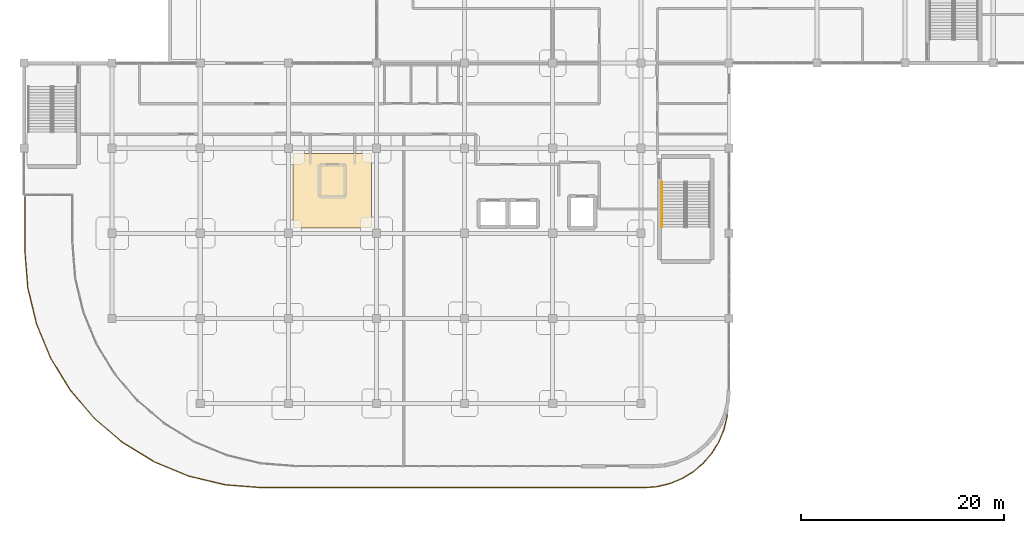
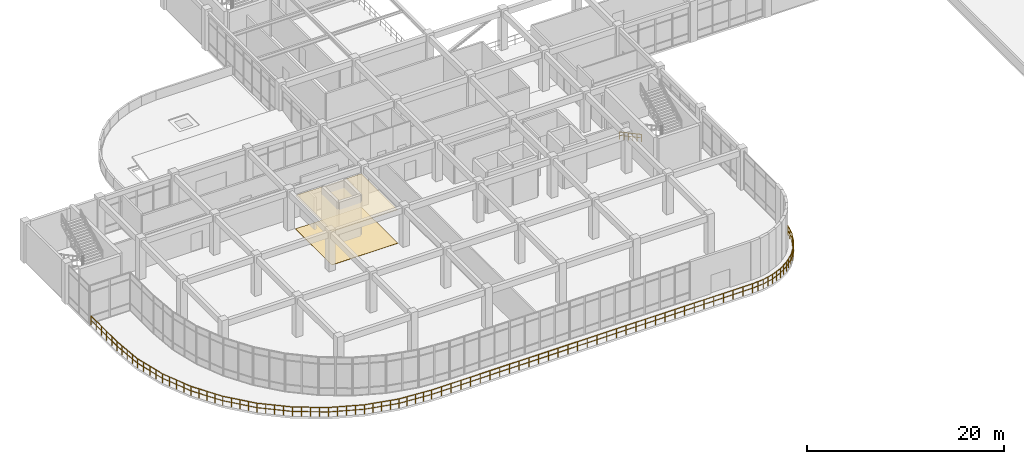
# One storey, part 113 of 124: 2 coverings, 2 railings.
"""IFC4 building model written with IfcOpenShell, lengths in metres."""

from ifc_helpers import new_model, si_unit, derived_unit, direction, frame, origin, origin_2d, place, context, subcontext, project, spatial, polyline, circle, outline, extrude, material, layer, layer_set, type_object, element, save


model = new_model("IFC4")

# Units and contexts
model_context = context("Model", 3, precision=1e-05, world=origin(), true_north=direction((0.0, 1.0)))
body_context = subcontext(model_context, "Body", "Model", "MODEL_VIEW")
ifc_project = project(units=[si_unit("LENGTHUNIT", "METRE"), si_unit("AREAUNIT", "SQUARE_METRE"), si_unit("VOLUMEUNIT", "CUBIC_METRE"), si_unit("PLANEANGLEUNIT", "RADIAN"), si_unit("MASSUNIT", "GRAM", prefix="KILO"), derived_unit("THERMALTRANSMITTANCEUNIT", [(si_unit("MASSUNIT", "GRAM", prefix="KILO"), 1), (si_unit("TIMEUNIT", "SECOND"), -3), (si_unit("THERMODYNAMICTEMPERATUREUNIT", "KELVIN"), -1)])], contexts=[model_context])

# Site, building, storey
site_placement = place(None, origin())
site = spatial("IfcSite", under=ifc_project, at=site_placement, CompositionType="ELEMENT")
building_placement = place(site_placement, origin())
building = spatial("IfcBuilding", under=site, at=building_placement, Name="Qinzheling Arcade Emporium", CompositionType="ELEMENT")
storey_placement = place(building_placement, frame((0.0, 0.0, 16.5)))
storey = spatial("IfcBuildingStorey", under=building, at=storey_placement, Name="L04", CompositionType="ELEMENT", Elevation=16.5)

# Railing
ifc_material_1 = material(Name="Architectural bronze rail and laminated safety glass", Category="glass")
railing_type_1 = type_object("IfcRailingType", Name="Curved Terrace Laminated Glass and Bronze Balustrade 1150", PredefinedType="BALUSTRADE", material=ifc_material_1)
railing_1_placement = place(storey_placement, frame((69.43310546875, 7.2890625, 0.0)))
element("IfcRailing", 1, at=railing_1_placement, inside=storey, type_object=railing_type_1, Name="Terrace Balustrade RLG-TER-L04-004", PredefinedType="BALUSTRADE", context=body_context, shape_type="SweptSolid", body=[
    extrude(circle(Radius=0.02392578125, at=origin_2d()), frame((0.0, 0.0, 1.1259765625), z_axis=(-0.079439665691, -0.996839675933, 0.0), x_axis=(0.996839675933, -0.079439665691, 0.0)), (0.0, 0.0, 1.0), 0.1904296875),
    extrude(circle(Radius=0.01611328125, at=origin_2d()), frame((0.0, 0.0, 0.574951171875), z_axis=(-0.079439665691, -0.996839675933, 0.0), x_axis=(0.996839675933, -0.079439665691, 0.0)), (0.0, 0.0, 1.0), 0.1904296875),
    extrude(circle(Radius=0.02392578125, at=origin_2d()), frame((-0.01513671875, -0.18994140625, 1.1259765625), z_axis=(-0.233464856822, -0.972365240344, 0.0), x_axis=(0.972365240344, -0.233464856822, 0.0)), (0.0, 0.0, 1.0), 1.30615234375),
    extrude(circle(Radius=0.01611328125, at=origin_2d()), frame((-0.01513671875, -0.18994140625, 0.574951171875), z_axis=(-0.233464856822, -0.972365240344, 0.0), x_axis=(0.972365240344, -0.233464856822, 0.0)), (0.0, 0.0, 1.0), 1.30615234375),
    extrude(circle(Radius=0.02392578125, at=origin_2d()), frame((-0.320068359375, -1.4599609375, 1.1259765625), z_axis=(-0.382703871955, -0.923871065891, 0.0), x_axis=(0.923871065891, -0.382703871955, 0.0)), (0.0, 0.0, 1.0), 1.306396484375),
    extrude(circle(Radius=0.01611328125, at=origin_2d()), frame((-0.320068359375, -1.4599609375, 0.574951171875), z_axis=(-0.382703871955, -0.923871065891, 0.0), x_axis=(0.923871065891, -0.382703871955, 0.0)), (0.0, 0.0, 1.0), 1.306396484375),
    extrude(circle(Radius=0.02392578125, at=origin_2d()), frame((-0.820068359375, -2.6669921875, 1.1259765625), z_axis=(-0.522864815546, -0.852415617327, 0.0), x_axis=(0.852415617327, -0.522864815546, 0.0)), (0.0, 0.0, 1.0), 1.3046875),
    extrude(circle(Radius=0.01611328125, at=origin_2d()), frame((-0.820068359375, -2.6669921875, 0.574951171875), z_axis=(-0.522864815546, -0.852415617327, 0.0), x_axis=(0.852415617327, -0.522864815546, 0.0)), (0.0, 0.0, 1.0), 1.3046875),
    extrude(circle(Radius=0.02392578125, at=origin_2d()), frame((-1.502197265625, -3.779052734375, 1.1259765625), z_axis=(-0.649388998895, -0.760456394617, 0.0), x_axis=(0.760456394617, -0.649388998895, 0.0)), (0.0, 0.0, 1.0), 1.3056640625),
    extrude(circle(Radius=0.01611328125, at=origin_2d()), frame((-1.502197265625, -3.779052734375, 0.574951171875), z_axis=(-0.649388998895, -0.760456394617, 0.0), x_axis=(0.760456394617, -0.649388998895, 0.0)), (0.0, 0.0, 1.0), 1.3056640625),
    extrude(circle(Radius=0.02392578125, at=origin_2d()), frame((-2.35009765625, -4.77197265625, 1.1259765625), z_axis=(-0.760364060372, -0.649497109843, 0.0), x_axis=(0.649497109843, -0.760364060372, 0.0)), (0.0, 0.0, 1.0), 1.305908203125),
    extrude(circle(Radius=0.01611328125, at=origin_2d()), frame((-2.35009765625, -4.77197265625, 0.574951171875), z_axis=(-0.760364060372, -0.649497109843, 0.0), x_axis=(0.649497109843, -0.760364060372, 0.0)), (0.0, 0.0, 1.0), 1.305908203125),
    extrude(circle(Radius=0.02392578125, at=origin_2d()), frame((-3.343017578125, -5.6201171875, 1.1259765625), z_axis=(-0.852499021897, -0.522728818476, 0.0), x_axis=(0.522728818476, -0.852499021897, 0.0)), (0.0, 0.0, 1.0), 1.304443359375),
    extrude(circle(Radius=0.01611328125, at=origin_2d()), frame((-3.343017578125, -5.6201171875, 0.574951171875), z_axis=(-0.852499021897, -0.522728818476, 0.0), x_axis=(0.522728818476, -0.852499021897, 0.0)), (0.0, 0.0, 1.0), 1.304443359375),
    extrude(circle(Radius=0.02392578125, at=origin_2d()), frame((-4.455078125, -6.302001953125, 1.1259765625), z_axis=(-0.923871065891, -0.382703871955, 0.0), x_axis=(0.382703871955, -0.923871065891, 0.0)), (0.0, 0.0, 1.0), 1.306396484375),
    extrude(circle(Radius=0.01611328125, at=origin_2d()), frame((-4.455078125, -6.302001953125, 0.574951171875), z_axis=(-0.923871065891, -0.382703871955, 0.0), x_axis=(0.382703871955, -0.923871065891, 0.0)), (0.0, 0.0, 1.0), 1.306396484375),
    extrude(circle(Radius=0.02392578125, at=origin_2d()), frame((-5.662109375, -6.802001953125, 1.1259765625), z_axis=(-0.972322792523, -0.233641578365, 0.0), x_axis=(0.233641578365, -0.972322792523, 0.0)), (0.0, 0.0, 1.0), 1.30615234375),
    extrude(circle(Radius=0.01611328125, at=origin_2d()), frame((-5.662109375, -6.802001953125, 0.574951171875), z_axis=(-0.972322792523, -0.233641578365, 0.0), x_axis=(0.233641578365, -0.972322792523, 0.0)), (0.0, 0.0, 1.0), 1.30615234375),
    extrude(circle(Radius=0.02392578125, at=origin_2d()), frame((-6.93212890625, -7.107177734375, 1.1259765625), z_axis=(-0.99696599025, -0.077838385683, 0.0), x_axis=(0.077838385683, -0.99696599025, 0.0)), (0.0, 0.0, 1.0), 1.307861328125),
    extrude(circle(Radius=0.01611328125, at=origin_2d()), frame((-6.93212890625, -7.107177734375, 0.574951171875), z_axis=(-0.99696599025, -0.077838385683, 0.0), x_axis=(0.077838385683, -0.99696599025, 0.0)), (0.0, 0.0, 1.0), 1.307861328125),
    extrude(circle(Radius=0.02392578125, at=origin_2d()), frame((-8.236083984375, -7.208984375, 1.1259765625), z_axis=(-1.0, 0.0, 0.0), x_axis=(0.0, -1.0, 0.0)), (0.0, 0.0, 1.0), 37.694091796875),
    extrude(circle(Radius=0.01611328125, at=origin_2d()), frame((-8.236083984375, -7.208984375, 0.574951171875), z_axis=(-1.0, 0.0, 0.0), x_axis=(0.0, -1.0, 0.0)), (0.0, 0.0, 1.0), 37.694091796875),
    extrude(circle(Radius=0.02392578125, at=origin_2d()), frame((-45.93017578125, -7.208984375, 1.1259765625), z_axis=(-0.996931778263, 0.078275344071, 0.0), x_axis=(-0.078275344071, -0.996931778263, 0.0)), (0.0, 0.0, 1.0), 3.67724609375),
    extrude(circle(Radius=0.01611328125, at=origin_2d()), frame((-45.93017578125, -7.208984375, 0.574951171875), z_axis=(-0.996931778263, 0.078275344071, 0.0), x_axis=(-0.078275344071, -0.996931778263, 0.0)), (0.0, 0.0, 1.0), 3.67724609375),
    extrude(circle(Radius=0.02392578125, at=origin_2d()), frame((-49.59619140625, -6.921142578125, 1.1259765625), z_axis=(-0.972362576411, 0.233475951642, 0.0), x_axis=(-0.233475951642, -0.972362576411, 0.0)), (0.0, 0.0, 1.0), 3.675537109375),
    extrude(circle(Radius=0.01611328125, at=origin_2d()), frame((-49.59619140625, -6.921142578125, 0.574951171875), z_axis=(-0.972362576411, 0.233475951642, 0.0), x_axis=(-0.233475951642, -0.972362576411, 0.0)), (0.0, 0.0, 1.0), 3.675537109375),
    extrude(circle(Radius=0.02392578125, at=origin_2d()), frame((-53.170166015625, -6.06298828125, 1.1259765625), z_axis=(-0.923849253589, 0.382756523971, 0.0), x_axis=(-0.382756523971, -0.923849253589, 0.0)), (0.0, 0.0, 1.0), 3.676025390625),
    extrude(circle(Radius=0.01611328125, at=origin_2d()), frame((-53.170166015625, -6.06298828125, 0.574951171875), z_axis=(-0.923849253589, 0.382756523971, 0.0), x_axis=(-0.382756523971, -0.923849253589, 0.0)), (0.0, 0.0, 1.0), 3.676025390625),
    extrude(circle(Radius=0.02392578125, at=origin_2d()), frame((-56.566162109375, -4.656005859375, 1.1259765625), z_axis=(-0.852642310757, 0.522495062089, 0.0), x_axis=(-0.522495062089, -0.852642310757, 0.0)), (0.0, 0.0, 1.0), 3.674560546875),
    extrude(circle(Radius=0.01611328125, at=origin_2d()), frame((-56.566162109375, -4.656005859375, 0.574951171875), z_axis=(-0.852642310757, 0.522495062089, 0.0), x_axis=(-0.522495062089, -0.852642310757, 0.0)), (0.0, 0.0, 1.0), 3.674560546875),
    extrude(circle(Radius=0.02392578125, at=origin_2d()), frame((-59.69921875, -2.736083984375, 1.1259765625), z_axis=(-0.760310788239, 0.649559470169, 0.0), x_axis=(-0.649559470169, -0.760310788239, 0.0)), (0.0, 0.0, 1.0), 3.6748046875),
    extrude(circle(Radius=0.01611328125, at=origin_2d()), frame((-59.69921875, -2.736083984375, 0.574951171875), z_axis=(-0.760310788239, 0.649559470169, 0.0), x_axis=(-0.649559470169, -0.760310788239, 0.0)), (0.0, 0.0, 1.0), 3.6748046875),
    extrude(circle(Radius=0.02392578125, at=origin_2d()), frame((-62.4931640625, -0.34912109375, 1.1259765625), z_axis=(-0.649559470169, 0.760310788239, 0.0), x_axis=(-0.760310788239, -0.649559470169, 0.0)), (0.0, 0.0, 1.0), 3.6748046875),
    extrude(circle(Radius=0.01611328125, at=origin_2d()), frame((-62.4931640625, -0.34912109375, 0.574951171875), z_axis=(-0.649559470169, 0.760310788239, 0.0), x_axis=(-0.760310788239, -0.649559470169, 0.0)), (0.0, 0.0, 1.0), 3.6748046875),
    extrude(circle(Radius=0.02392578125, at=origin_2d()), frame((-64.880126953125, 2.44482421875, 1.1259765625), z_axis=(-0.522495062089, 0.852642310757, 0.0), x_axis=(-0.852642310757, -0.522495062089, 0.0)), (0.0, 0.0, 1.0), 3.674560546875),
    extrude(circle(Radius=0.01611328125, at=origin_2d()), frame((-64.880126953125, 2.44482421875, 0.574951171875), z_axis=(-0.522495062089, 0.852642310757, 0.0), x_axis=(-0.852642310757, -0.522495062089, 0.0)), (0.0, 0.0, 1.0), 3.674560546875),
    extrude(circle(Radius=0.02392578125, at=origin_2d()), frame((-66.800048828125, 5.577880859375, 1.1259765625), z_axis=(-0.382756523971, 0.923849253589, 0.0), x_axis=(-0.923849253589, -0.382756523971, 0.0)), (0.0, 0.0, 1.0), 3.676025390625),
    extrude(circle(Radius=0.01611328125, at=origin_2d()), frame((-66.800048828125, 5.577880859375, 0.574951171875), z_axis=(-0.382756523971, 0.923849253589, 0.0), x_axis=(-0.923849253589, -0.382756523971, 0.0)), (0.0, 0.0, 1.0), 3.676025390625),
    extrude(circle(Radius=0.02392578125, at=origin_2d()), frame((-68.20703125, 8.973876953125, 1.1259765625), z_axis=(-0.233475951642, 0.972362576411, 0.0), x_axis=(-0.972362576411, -0.233475951642, 0.0)), (0.0, 0.0, 1.0), 3.675537109375),
    extrude(circle(Radius=0.01611328125, at=origin_2d()), frame((-68.20703125, 8.973876953125, 0.574951171875), z_axis=(-0.233475951642, 0.972362576411, 0.0), x_axis=(-0.972362576411, -0.233475951642, 0.0)), (0.0, 0.0, 1.0), 3.675537109375),
    extrude(circle(Radius=0.02392578125, at=origin_2d()), frame((-69.065185546875, 12.5478515625, 1.1259765625), z_axis=(-0.078275344071, 0.996931778263, 0.0), x_axis=(-0.996931778263, -0.078275344071, 0.0)), (0.0, 0.0, 1.0), 3.67724609375),
    extrude(circle(Radius=0.01611328125, at=origin_2d()), frame((-69.065185546875, 12.5478515625, 0.574951171875), z_axis=(-0.078275344071, 0.996931778263, 0.0), x_axis=(-0.996931778263, -0.078275344071, 0.0)), (0.0, 0.0, 1.0), 3.67724609375),
    extrude(circle(Radius=0.02392578125, at=origin_2d()), frame((-69.35302734375, 16.2138671875, 1.1259765625), z_axis=(0.0, 1.0, 0.0), x_axis=(-1.0, 0.0, 0.0)), (0.0, 0.0, 1.0), 5.277099609375),
    extrude(circle(Radius=0.01611328125, at=origin_2d()), frame((-69.35302734375, 16.2138671875, 0.574951171875), z_axis=(0.0, 1.0, 0.0), x_axis=(-1.0, 0.0, 0.0)), (0.0, 0.0, 1.0), 5.277099609375),
    extrude(circle(Radius=0.02099609375, at=origin_2d()), origin(), (0.0, 0.0, 1.0), 1.101806640625),
    extrude(circle(Radius=0.02099609375, at=origin_2d()), frame((-0.01513671875, -0.18994140625, 0.0)), (0.0, 0.0, 1.0), 1.101806640625),
    extrude(circle(Radius=0.02099609375, at=origin_2d()), frame((-0.16748046875, -0.824951171875, 0.0)), (0.0, 0.0, 1.0), 1.101806640625),
    extrude(circle(Radius=0.02099609375, at=origin_2d()), frame((-0.320068359375, -1.4599609375, 0.0)), (0.0, 0.0, 1.0), 1.101806640625),
    extrude(circle(Radius=0.02099609375, at=origin_2d()), frame((-0.570068359375, -2.0634765625, 0.0)), (0.0, 0.0, 1.0), 1.101806640625),
    extrude(circle(Radius=0.02099609375, at=origin_2d()), frame((-0.820068359375, -2.6669921875, 0.0)), (0.0, 0.0, 1.0), 1.101806640625),
    extrude(circle(Radius=0.02099609375, at=origin_2d()), frame((-1.1611328125, -3.22314453125, 0.0)), (0.0, 0.0, 1.0), 1.101806640625),
    extrude(circle(Radius=0.02099609375, at=origin_2d()), frame((-1.502197265625, -3.779052734375, 0.0)), (0.0, 0.0, 1.0), 1.101806640625),
    extrude(circle(Radius=0.02099609375, at=origin_2d()), frame((-1.92626953125, -4.275390625, 0.0)), (0.0, 0.0, 1.0), 1.101806640625),
    extrude(circle(Radius=0.02099609375, at=origin_2d()), frame((-2.35009765625, -4.77197265625, 0.0)), (0.0, 0.0, 1.0), 1.101806640625),
    extrude(circle(Radius=0.02099609375, at=origin_2d()), frame((-2.8466796875, -5.196044921875, 0.0)), (0.0, 0.0, 1.0), 1.101806640625),
    extrude(circle(Radius=0.02099609375, at=origin_2d()), frame((-3.343017578125, -5.6201171875, 0.0)), (0.0, 0.0, 1.0), 1.101806640625),
    extrude(circle(Radius=0.02099609375, at=origin_2d()), frame((-3.89892578125, -5.9609375, 0.0)), (0.0, 0.0, 1.0), 1.101806640625),
    extrude(circle(Radius=0.02099609375, at=origin_2d()), frame((-4.455078125, -6.302001953125, 0.0)), (0.0, 0.0, 1.0), 1.101806640625),
    extrude(circle(Radius=0.02099609375, at=origin_2d()), frame((-5.05859375, -6.552001953125, 0.0)), (0.0, 0.0, 1.0), 1.101806640625),
    extrude(circle(Radius=0.02099609375, at=origin_2d()), frame((-5.662109375, -6.802001953125, 0.0)), (0.0, 0.0, 1.0), 1.101806640625),
    extrude(circle(Radius=0.02099609375, at=origin_2d()), frame((-6.297119140625, -6.95458984375, 0.0)), (0.0, 0.0, 1.0), 1.101806640625),
    extrude(circle(Radius=0.02099609375, at=origin_2d()), frame((-6.93212890625, -7.107177734375, 0.0)), (0.0, 0.0, 1.0), 1.101806640625),
    extrude(circle(Radius=0.02099609375, at=origin_2d()), frame((-7.583984375, -7.158203125, 0.0)), (0.0, 0.0, 1.0), 1.101806640625),
    extrude(circle(Radius=0.02099609375, at=origin_2d()), frame((-8.236083984375, -7.208984375, 0.0)), (0.0, 0.0, 1.0), 1.101806640625),
    extrude(circle(Radius=0.02099609375, at=origin_2d()), frame((-9.37841796875, -7.208984375, 0.0)), (0.0, 0.0, 1.0), 1.101806640625),
    extrude(circle(Radius=0.02099609375, at=origin_2d()), frame((-10.5205078125, -7.208984375, 0.0)), (0.0, 0.0, 1.0), 1.101806640625),
    extrude(circle(Radius=0.02099609375, at=origin_2d()), frame((-11.662841796875, -7.208984375, 0.0)), (0.0, 0.0, 1.0), 1.101806640625),
    extrude(circle(Radius=0.02099609375, at=origin_2d()), frame((-12.80517578125, -7.208984375, 0.0)), (0.0, 0.0, 1.0), 1.101806640625),
    extrude(circle(Radius=0.02099609375, at=origin_2d()), frame((-13.947265625, -7.208984375, 0.0)), (0.0, 0.0, 1.0), 1.101806640625),
    extrude(circle(Radius=0.02099609375, at=origin_2d()), frame((-15.089599609375, -7.208984375, 0.0)), (0.0, 0.0, 1.0), 1.101806640625),
    extrude(circle(Radius=0.02099609375, at=origin_2d()), frame((-16.231689453125, -7.208984375, 0.0)), (0.0, 0.0, 1.0), 1.101806640625),
    extrude(circle(Radius=0.02099609375, at=origin_2d()), frame((-17.3740234375, -7.208984375, 0.0)), (0.0, 0.0, 1.0), 1.101806640625),
    extrude(circle(Radius=0.02099609375, at=origin_2d()), frame((-18.516357421875, -7.208984375, 0.0)), (0.0, 0.0, 1.0), 1.101806640625),
    extrude(circle(Radius=0.02099609375, at=origin_2d()), frame((-19.658447265625, -7.208984375, 0.0)), (0.0, 0.0, 1.0), 1.101806640625),
    extrude(circle(Radius=0.02099609375, at=origin_2d()), frame((-20.80078125, -7.208984375, 0.0)), (0.0, 0.0, 1.0), 1.101806640625),
    extrude(circle(Radius=0.02099609375, at=origin_2d()), frame((-21.943115234375, -7.208984375, 0.0)), (0.0, 0.0, 1.0), 1.101806640625),
    extrude(circle(Radius=0.02099609375, at=origin_2d()), frame((-23.085205078125, -7.208984375, 0.0)), (0.0, 0.0, 1.0), 1.101806640625),
    extrude(circle(Radius=0.02099609375, at=origin_2d()), frame((-24.2275390625, -7.208984375, 0.0)), (0.0, 0.0, 1.0), 1.101806640625),
    extrude(circle(Radius=0.02099609375, at=origin_2d()), frame((-25.369873046875, -7.208984375, 0.0)), (0.0, 0.0, 1.0), 1.101806640625),
    extrude(circle(Radius=0.02099609375, at=origin_2d()), frame((-26.511962890625, -7.208984375, 0.0)), (0.0, 0.0, 1.0), 1.101806640625),
    extrude(circle(Radius=0.02099609375, at=origin_2d()), frame((-27.654296875, -7.208984375, 0.0)), (0.0, 0.0, 1.0), 1.101806640625),
    extrude(circle(Radius=0.02099609375, at=origin_2d()), frame((-28.79638671875, -7.208984375, 0.0)), (0.0, 0.0, 1.0), 1.101806640625),
    extrude(circle(Radius=0.02099609375, at=origin_2d()), frame((-29.938720703125, -7.208984375, 0.0)), (0.0, 0.0, 1.0), 1.101806640625),
    extrude(circle(Radius=0.02099609375, at=origin_2d()), frame((-31.0810546875, -7.208984375, 0.0)), (0.0, 0.0, 1.0), 1.101806640625),
    extrude(circle(Radius=0.02099609375, at=origin_2d()), frame((-32.22314453125, -7.208984375, 0.0)), (0.0, 0.0, 1.0), 1.101806640625),
    extrude(circle(Radius=0.02099609375, at=origin_2d()), frame((-33.365478515625, -7.208984375, 0.0)), (0.0, 0.0, 1.0), 1.101806640625),
    extrude(circle(Radius=0.02099609375, at=origin_2d()), frame((-34.5078125, -7.208984375, 0.0)), (0.0, 0.0, 1.0), 1.101806640625),
    extrude(circle(Radius=0.02099609375, at=origin_2d()), frame((-35.64990234375, -7.208984375, 0.0)), (0.0, 0.0, 1.0), 1.101806640625),
    extrude(circle(Radius=0.02099609375, at=origin_2d()), frame((-36.792236328125, -7.208984375, 0.0)), (0.0, 0.0, 1.0), 1.101806640625),
    extrude(circle(Radius=0.02099609375, at=origin_2d()), frame((-37.9345703125, -7.208984375, 0.0)), (0.0, 0.0, 1.0), 1.101806640625),
    extrude(circle(Radius=0.02099609375, at=origin_2d()), frame((-39.07666015625, -7.208984375, 0.0)), (0.0, 0.0, 1.0), 1.101806640625),
    extrude(circle(Radius=0.02099609375, at=origin_2d()), frame((-40.218994140625, -7.208984375, 0.0)), (0.0, 0.0, 1.0), 1.101806640625),
    extrude(circle(Radius=0.02099609375, at=origin_2d()), frame((-41.361083984375, -7.208984375, 0.0)), (0.0, 0.0, 1.0), 1.101806640625),
    extrude(circle(Radius=0.02099609375, at=origin_2d()), frame((-42.50341796875, -7.208984375, 0.0)), (0.0, 0.0, 1.0), 1.101806640625),
    extrude(circle(Radius=0.02099609375, at=origin_2d()), frame((-43.645751953125, -7.208984375, 0.0)), (0.0, 0.0, 1.0), 1.101806640625),
    extrude(circle(Radius=0.02099609375, at=origin_2d()), frame((-44.787841796875, -7.208984375, 0.0)), (0.0, 0.0, 1.0), 1.101806640625),
    extrude(circle(Radius=0.02099609375, at=origin_2d()), frame((-45.93017578125, -7.208984375, 0.0)), (0.0, 0.0, 1.0), 1.101806640625),
    extrude(circle(Radius=0.02099609375, at=origin_2d()), frame((-46.8466796875, -7.136962890625, 0.0)), (0.0, 0.0, 1.0), 1.101806640625),
    extrude(circle(Radius=0.02099609375, at=origin_2d()), frame((-47.76318359375, -7.06494140625, 0.0)), (0.0, 0.0, 1.0), 1.101806640625),
    extrude(circle(Radius=0.02099609375, at=origin_2d()), frame((-48.6796875, -6.9931640625, 0.0)), (0.0, 0.0, 1.0), 1.101806640625),
    extrude(circle(Radius=0.02099609375, at=origin_2d()), frame((-49.59619140625, -6.921142578125, 0.0)), (0.0, 0.0, 1.0), 1.101806640625),
    extrude(circle(Radius=0.02099609375, at=origin_2d()), frame((-50.48974609375, -6.70654296875, 0.0)), (0.0, 0.0, 1.0), 1.101806640625),
    extrude(circle(Radius=0.02099609375, at=origin_2d()), frame((-51.38330078125, -6.4921875, 0.0)), (0.0, 0.0, 1.0), 1.101806640625),
    extrude(circle(Radius=0.02099609375, at=origin_2d()), frame((-52.276611328125, -6.277587890625, 0.0)), (0.0, 0.0, 1.0), 1.101806640625),
    extrude(circle(Radius=0.02099609375, at=origin_2d()), frame((-53.170166015625, -6.06298828125, 0.0)), (0.0, 0.0, 1.0), 1.101806640625),
    extrude(circle(Radius=0.02099609375, at=origin_2d()), frame((-54.01904296875, -5.711181640625, 0.0)), (0.0, 0.0, 1.0), 1.101806640625),
    extrude(circle(Radius=0.02099609375, at=origin_2d()), frame((-54.8681640625, -5.359375, 0.0)), (0.0, 0.0, 1.0), 1.101806640625),
    extrude(circle(Radius=0.02099609375, at=origin_2d()), frame((-55.71728515625, -5.0078125, 0.0)), (0.0, 0.0, 1.0), 1.101806640625),
    extrude(circle(Radius=0.02099609375, at=origin_2d()), frame((-56.566162109375, -4.656005859375, 0.0)), (0.0, 0.0, 1.0), 1.101806640625),
    extrude(circle(Radius=0.02099609375, at=origin_2d()), frame((-57.349365234375, -4.176025390625, 0.0)), (0.0, 0.0, 1.0), 1.101806640625),
    extrude(circle(Radius=0.02099609375, at=origin_2d()), frame((-58.1328125, -3.696044921875, 0.0)), (0.0, 0.0, 1.0), 1.101806640625),
    extrude(circle(Radius=0.02099609375, at=origin_2d()), frame((-58.916015625, -3.216064453125, 0.0)), (0.0, 0.0, 1.0), 1.101806640625),
    extrude(circle(Radius=0.02099609375, at=origin_2d()), frame((-59.69921875, -2.736083984375, 0.0)), (0.0, 0.0, 1.0), 1.101806640625),
    extrude(circle(Radius=0.02099609375, at=origin_2d()), frame((-60.397705078125, -2.139404296875, 0.0)), (0.0, 0.0, 1.0), 1.101806640625),
    extrude(circle(Radius=0.02099609375, at=origin_2d()), frame((-61.09619140625, -1.54248046875, 0.0)), (0.0, 0.0, 1.0), 1.101806640625),
    extrude(circle(Radius=0.02099609375, at=origin_2d()), frame((-61.794677734375, -0.94580078125, 0.0)), (0.0, 0.0, 1.0), 1.101806640625),
    extrude(circle(Radius=0.02099609375, at=origin_2d()), frame((-62.4931640625, -0.34912109375, 0.0)), (0.0, 0.0, 1.0), 1.101806640625),
    extrude(circle(Radius=0.02099609375, at=origin_2d()), frame((-63.08984375, 0.349365234375, 0.0)), (0.0, 0.0, 1.0), 1.101806640625),
    extrude(circle(Radius=0.02099609375, at=origin_2d()), frame((-63.6865234375, 1.0478515625, 0.0)), (0.0, 0.0, 1.0), 1.101806640625),
    extrude(circle(Radius=0.02099609375, at=origin_2d()), frame((-64.283447265625, 1.746337890625, 0.0)), (0.0, 0.0, 1.0), 1.101806640625),
    extrude(circle(Radius=0.02099609375, at=origin_2d()), frame((-64.880126953125, 2.44482421875, 0.0)), (0.0, 0.0, 1.0), 1.101806640625),
    extrude(circle(Radius=0.02099609375, at=origin_2d()), frame((-65.360107421875, 3.22802734375, 0.0)), (0.0, 0.0, 1.0), 1.101806640625),
    extrude(circle(Radius=0.02099609375, at=origin_2d()), frame((-65.840087890625, 4.01123046875, 0.0)), (0.0, 0.0, 1.0), 1.101806640625),
    extrude(circle(Radius=0.02099609375, at=origin_2d()), frame((-66.320068359375, 4.794677734375, 0.0)), (0.0, 0.0, 1.0), 1.101806640625),
    extrude(circle(Radius=0.02099609375, at=origin_2d()), frame((-66.800048828125, 5.577880859375, 0.0)), (0.0, 0.0, 1.0), 1.101806640625),
    extrude(circle(Radius=0.02099609375, at=origin_2d()), frame((-67.15185546875, 6.4267578125, 0.0)), (0.0, 0.0, 1.0), 1.101806640625),
    extrude(circle(Radius=0.02099609375, at=origin_2d()), frame((-67.50341796875, 7.27587890625, 0.0)), (0.0, 0.0, 1.0), 1.101806640625),
    extrude(circle(Radius=0.02099609375, at=origin_2d()), frame((-67.855224609375, 8.125, 0.0)), (0.0, 0.0, 1.0), 1.101806640625),
    extrude(circle(Radius=0.02099609375, at=origin_2d()), frame((-68.20703125, 8.973876953125, 0.0)), (0.0, 0.0, 1.0), 1.101806640625),
    extrude(circle(Radius=0.02099609375, at=origin_2d()), frame((-68.421630859375, 9.867431640625, 0.0)), (0.0, 0.0, 1.0), 1.101806640625),
    extrude(circle(Radius=0.02099609375, at=origin_2d()), frame((-68.63623046875, 10.7607421875, 0.0)), (0.0, 0.0, 1.0), 1.101806640625),
    extrude(circle(Radius=0.02099609375, at=origin_2d()), frame((-68.8505859375, 11.654296875, 0.0)), (0.0, 0.0, 1.0), 1.101806640625),
    extrude(circle(Radius=0.02099609375, at=origin_2d()), frame((-69.065185546875, 12.5478515625, 0.0)), (0.0, 0.0, 1.0), 1.101806640625),
    extrude(circle(Radius=0.02099609375, at=origin_2d()), frame((-69.13720703125, 13.46435546875, 0.0)), (0.0, 0.0, 1.0), 1.101806640625),
    extrude(circle(Radius=0.02099609375, at=origin_2d()), frame((-69.208984375, 14.380859375, 0.0)), (0.0, 0.0, 1.0), 1.101806640625),
    extrude(circle(Radius=0.02099609375, at=origin_2d()), frame((-69.281005859375, 15.29736328125, 0.0)), (0.0, 0.0, 1.0), 1.101806640625),
    extrude(circle(Radius=0.02099609375, at=origin_2d()), frame((-69.35302734375, 16.2138671875, 0.0)), (0.0, 0.0, 1.0), 1.101806640625),
    extrude(circle(Radius=0.02099609375, at=origin_2d()), frame((-69.35302734375, 17.269287109375, 0.0)), (0.0, 0.0, 1.0), 1.101806640625),
    extrude(circle(Radius=0.02099609375, at=origin_2d()), frame((-69.35302734375, 18.32470703125, 0.0)), (0.0, 0.0, 1.0), 1.101806640625),
    extrude(circle(Radius=0.02099609375, at=origin_2d()), frame((-69.35302734375, 19.380126953125, 0.0)), (0.0, 0.0, 1.0), 1.101806640625),
    extrude(circle(Radius=0.02099609375, at=origin_2d()), frame((-69.35302734375, 20.435546875, 0.0)), (0.0, 0.0, 1.0), 1.101806640625),
    extrude(circle(Radius=0.02099609375, at=origin_2d()), frame((-69.35302734375, 21.490966796875, 0.0)), (0.0, 0.0, 1.0), 1.101806640625),
])

# Coverings
ifc_material_2 = material(Name="Mineral-fibre acoustic ceiling board")
ifc_layer_1 = layer(ifc_material_2, 0.02490234375, Name="Mineral-fibre acoustic ceiling board")
ifc_layer_set_1 = layer_set([ifc_layer_1], Name="Mineral-fibre acoustic ceiling board")
covering_type_1 = type_object("IfcCoveringType", Name="Perforated Mineral Acoustic Ceiling 25", PredefinedType="CEILING", material=ifc_layer_set_1)
covering_1_placement = place(storey_placement, frame((0.0, 0.0, 4.14990234375)))
element("IfcCovering", 2, at=covering_1_placement, inside=storey, type_object=covering_type_1, Name="Acoustic Ceiling L04", PredefinedType="CEILING", context=body_context, shape_type="SweptSolid", body=[
    extrude(outline(polyline([(26.580078125, 25.699951171875), (34.320068359375, 25.699951171875), (34.320068359375, 33.10009765625), (26.580078125, 33.10009765625), (26.580078125, 25.699951171875)])), origin(), (0.0, 0.0, 1.0), 0.025146484375),
])
ifc_material_3 = material(Name="Polished terrazzo stone finish", Category="masonry")
ifc_layer_2 = layer(ifc_material_3, 0.034912109375, Name="Polished terrazzo stone finish", Category="masonry")
ifc_layer_set_2 = layer_set([ifc_layer_2], Name="Polished terrazzo stone finish")
covering_type_2 = type_object("IfcCoveringType", Name="Polished Terrazzo Retail Flooring 35", PredefinedType="FLOORING", material=ifc_layer_set_2)
covering_2_placement = place(storey_placement, origin())
element("IfcCovering", 3, at=covering_2_placement, inside=storey, type_object=covering_type_2, Name="Terrazzo Flooring L04", PredefinedType="FLOORING", context=body_context, shape_type="SweptSolid", body=[
    extrude(outline(polyline([(26.580078125, 25.699951171875), (34.320068359375, 25.699951171875), (34.320068359375, 33.10009765625), (26.580078125, 33.10009765625), (26.580078125, 25.699951171875)])), origin(), (0.0, 0.0, 1.0), 0.034912109375),
])

# Railing
ifc_material_4 = material(Name="Brushed stainless steel 304", Category="steel")
railing_type_2 = type_object("IfcRailingType", Name="Stainless Steel Wall Handrail 900", PredefinedType="HANDRAIL", material=ifc_material_4)
railing_2_placement = place(storey_placement, frame((63.0, 30.280029296875, 0.14990234375)))
element("IfcRailing", 4, at=railing_2_placement, inside=storey, type_object=railing_type_2, Name="L04 ST01 stair handrail 1", PredefinedType="HANDRAIL", context=body_context, shape_type="SweptSolid", body=[
    extrude(circle(Radius=0.02392578125, at=origin_2d()), frame((0.0, 0.0, 0.8759765625), z_axis=(0.0, -0.881467115574, 0.472245406714), x_axis=(1.0, 0.0, 0.0)), (0.0, 0.0, 1.0), 5.08251953125),
    extrude(circle(Radius=0.01611328125, at=origin_2d()), frame((0.0, 0.0, 0.449951171875), z_axis=(0.0, -0.881467115574, 0.472245406714), x_axis=(1.0, 0.0, 0.0)), (0.0, 0.0, 1.0), 5.08251953125),
    extrude(circle(Radius=0.02099609375, at=origin_2d()), origin(), (0.0, 0.0, 1.0), 0.851806640625),
    extrude(circle(Radius=0.02099609375, at=origin_2d()), frame((0.0, -0.89599609375, 0.47998046875)), (0.0, 0.0, 1.0), 0.851806640625),
    extrude(circle(Radius=0.02099609375, at=origin_2d()), frame((0.0, -1.7919921875, 0.9599609375)), (0.0, 0.0, 1.0), 0.851806640625),
    extrude(circle(Radius=0.02099609375, at=origin_2d()), frame((0.0, -2.68798828125, 1.440185546875)), (0.0, 0.0, 1.0), 0.851806640625),
    extrude(circle(Radius=0.02099609375, at=origin_2d()), frame((0.0, -3.583984375, 1.920166015625)), (0.0, 0.0, 1.0), 0.851806640625),
    extrude(circle(Radius=0.02099609375, at=origin_2d()), frame((0.0, -4.47998046875, 2.400146484375)), (0.0, 0.0, 1.0), 0.851806640625),
])

save(model, "model.ifc")
